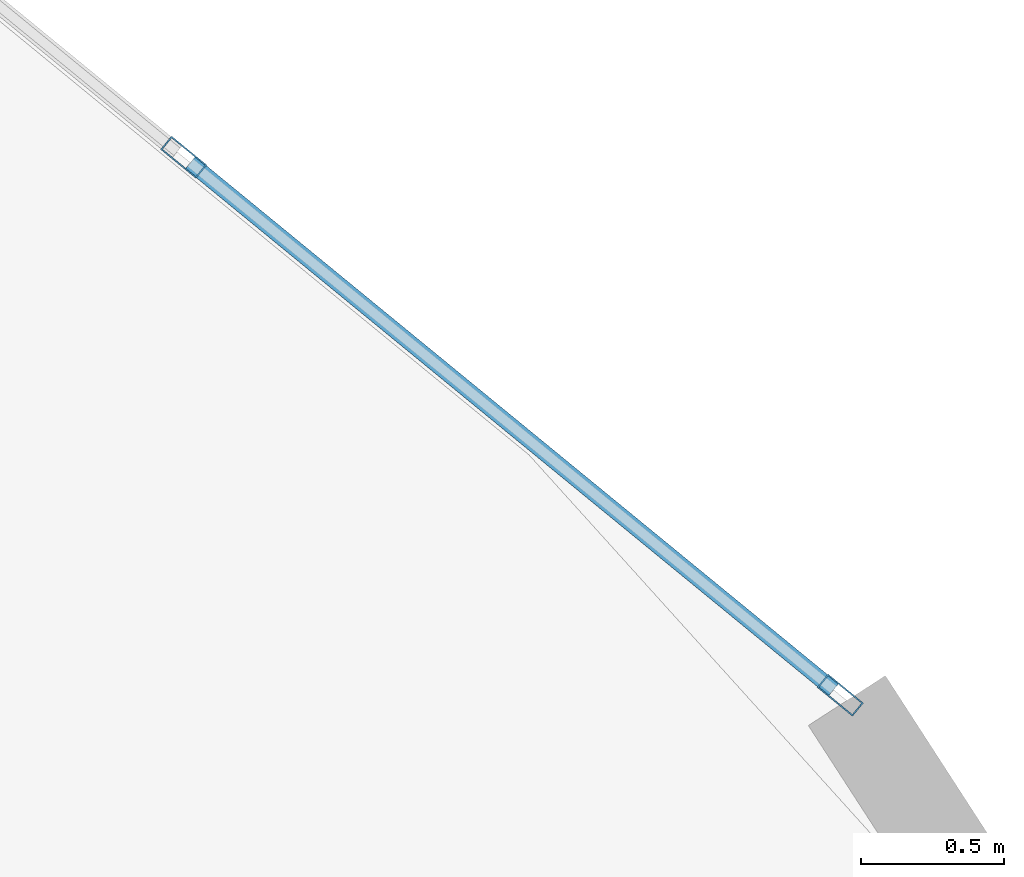
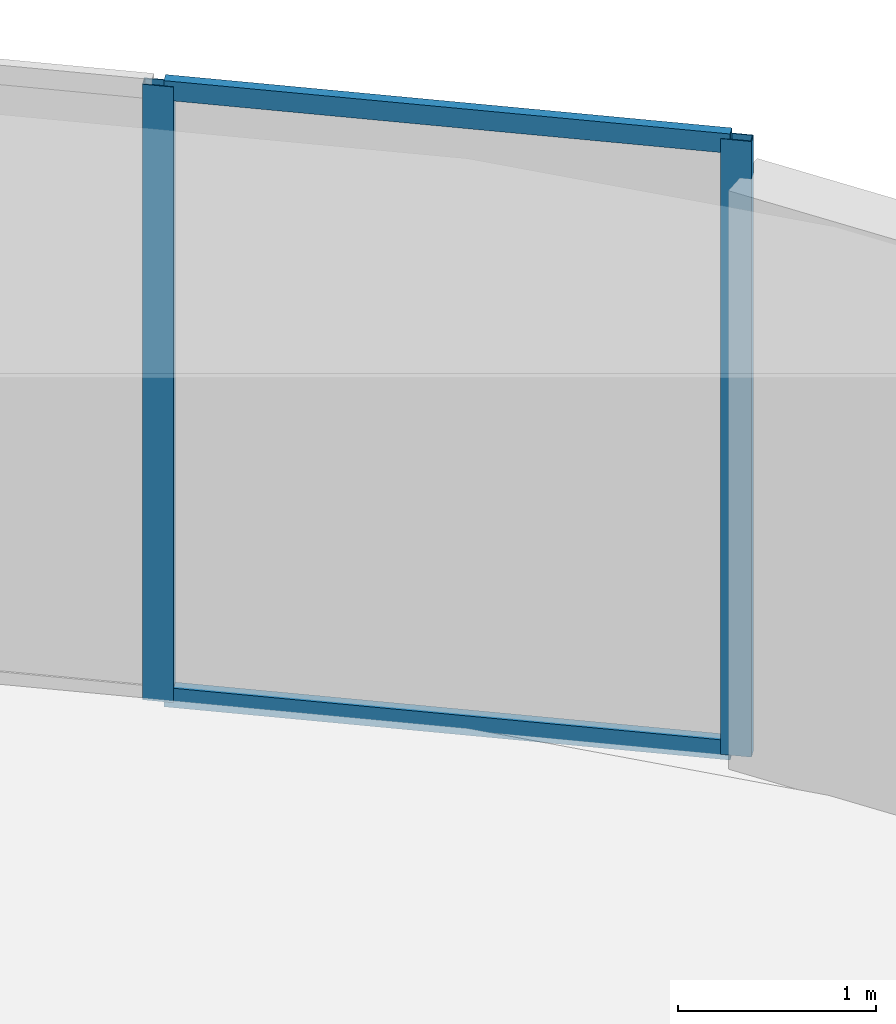
# One storey, part 9 of 16: 4 members, 1 element without a shape of its own.
"""IFC4 building model written with IfcOpenShell, lengths in metres."""

from ifc_helpers import new_model, si_unit, direction, frame, origin, origin_2d, place, context, subcontext, project, spatial, hollow_rectangle, extrude, source, transform, mapped, material, layer, layer_set, material_profile, profile_set, type_object, element, aggregate, save


model = new_model("IFC4")

# Units and contexts
model_context = context("Model", 3, precision=1e-05, world=origin(), true_north=direction((0.0, 1.0)))
body_context = subcontext(model_context, "Body", "Model", "MODEL_VIEW")
ifc_project = project(units=[si_unit("LENGTHUNIT", "METRE"), si_unit("AREAUNIT", "SQUARE_METRE"), si_unit("VOLUMEUNIT", "CUBIC_METRE"), si_unit("PLANEANGLEUNIT", "RADIAN"), si_unit("MASSUNIT", "GRAM", prefix="KILO")], contexts=[model_context])

# Site, building, storey
site_placement = place(None, origin())
site = spatial("IfcSite", under=ifc_project, at=site_placement, CompositionType="ELEMENT")
building_placement = place(site_placement, origin())
building = spatial("IfcBuilding", under=site, at=building_placement, Name="Solvirekh Grand Hotel", CompositionType="ELEMENT")
storey_placement = place(building_placement, frame((0.0, 0.0, 258.199951171875)))
storey = spatial("IfcBuildingStorey", under=building, at=storey_placement, Name="L67", CompositionType="ELEMENT", Elevation=258.199951171875)

# Curtain wall, members
ifc_material = material(Name="Anodized Bronze Aluminium 6063-T6", Category="aluminium")
ifc_layer = layer(ifc_material, 0.159912109375)
ifc_layer_set = layer_set([ifc_layer], Name="Anodized Bronze Aluminium 6063-T6")
curtain_wall_type = type_object("IfcCurtainWallType", Name="CW_Sys4_HighZoneFlushBronzeCW", PredefinedType="NOTDEFINED", material=ifc_layer_set)
curtain_wall_placement = place(storey_placement, origin())
curtain_wall = element("IfcCurtainWall", 1, at=curtain_wall_placement, inside=storey, type_object=curtain_wall_type, Name="L67 unitised bronze-glass curtain wall CW-L67-C08", PredefinedType="NOTDEFINED")
ifc_material_profile_1 = material_profile(ifc_material, hollow_rectangle(XDim=0.06005859375, YDim=0.159912109375, WallThickness=0.0048828125, at=origin_2d()), Name="ALU RHS 160X60X5")
ifc_profile_set_1 = profile_set([ifc_material_profile_1], Name="Anodized Bronze Aluminium 6063-T6")
member_type_1 = type_object("IfcMemberType", Name="CWMullion_Sys4", PredefinedType="MULLION", material=ifc_profile_set_1)
shared_shape_1 = source(origin(), body_context, "Body", "SweptSolid", [
    extrude(hollow_rectangle(XDim=0.06005859375, YDim=0.159912109375, WallThickness=0.0048828125, at=origin_2d()), origin(), (0.0, 0.0, 1.0), 3.800048828125),
])
member_1_placement = place(storey_placement, frame((14.831787109375, 13.196044921875, 0.0), z_axis=(0.0, 0.0, 1.0), x_axis=(-0.633801783749, -0.773495506721, 0.0)))
member_1 = element("IfcMember", 2, at=member_1_placement, type_object=member_type_1, Name="U04 mullion 1", PredefinedType="MULLION", context=body_context, shape_type="MappedRepresentation", body=[
    mapped(shared_shape_1, transform((0.0, 0.0, 0.0), x_axis=(1.0, 0.0, 0.0), y_axis=(0.0, 1.0, 0.0), z_axis=(0.0, 0.0, 1.0), scale=1.0)),
])
member_2_placement = place(storey_placement, frame((12.54052734375, 15.073486328125, 0.0), z_axis=(0.0, 0.0, 1.0), x_axis=(-0.633801783749, -0.773495506721, 0.0)))
member_2 = element("IfcMember", 3, at=member_2_placement, type_object=member_type_1, Name="U04 mullion 2", PredefinedType="MULLION", context=body_context, shape_type="MappedRepresentation", body=[
    mapped(shared_shape_1, transform((0.0, 0.0, 0.0), x_axis=(1.0, 0.0, 0.0), y_axis=(0.0, 1.0, 0.0), z_axis=(0.0, 0.0, 1.0), scale=1.0)),
])
ifc_material_profile_2 = material_profile(ifc_material, hollow_rectangle(XDim=0.054931640625, YDim=0.1201171875, WallThickness=0.00390625, at=origin_2d()), Name="ALU RHS 120X55X4")
ifc_profile_set_2 = profile_set([ifc_material_profile_2], Name="Anodized Bronze Aluminium 6063-T6")
member_type_2 = type_object("IfcMemberType", Name="CWTransom_Sys4", PredefinedType="USERDEFINED", material=ifc_profile_set_2)
shared_shape_2 = source(origin(), body_context, "Body", "SweptSolid", [
    extrude(hollow_rectangle(XDim=0.054931640625, YDim=0.1201171875, WallThickness=0.00390625, at=origin_2d()), origin(), (0.0, 0.0, 1.0), 2.902099609375),
])
member_3_placement = place(storey_placement, frame((14.80859375, 13.215087890625, 0.027587890625), z_axis=(-0.773511088682, 0.633782766953, 0.0), x_axis=(-0.633782766953, -0.773511088682, 0.0)))
member_3 = element("IfcMember", 4, at=member_3_placement, type_object=member_type_2, Name="U04 transom 1.1", ObjectType="TRANSOM", PredefinedType="USERDEFINED", context=body_context, shape_type="MappedRepresentation", body=[
    mapped(shared_shape_2, transform((0.0, 0.0, 0.0), x_axis=(1.0, 0.0, 0.0), y_axis=(0.0, 1.0, 0.0), z_axis=(0.0, 0.0, 1.0), scale=1.0)),
])
member_4_placement = place(storey_placement, frame((14.80859375, 13.215087890625, 3.7724609375), z_axis=(-0.773511088682, 0.633782766953, 0.0), x_axis=(-0.633782766953, -0.773511088682, 0.0)))
member_4 = element("IfcMember", 5, at=member_4_placement, type_object=member_type_2, Name="U04 transom 1.2", ObjectType="TRANSOM", PredefinedType="USERDEFINED", context=body_context, shape_type="MappedRepresentation", body=[
    mapped(shared_shape_2, transform((0.0, 0.0, 0.0), x_axis=(1.0, 0.0, 0.0), y_axis=(0.0, 1.0, 0.0), z_axis=(0.0, 0.0, 1.0), scale=1.0)),
])
aggregate(curtain_wall, [member_1, member_2, member_3, member_4])

save(model, "model.ifc")
